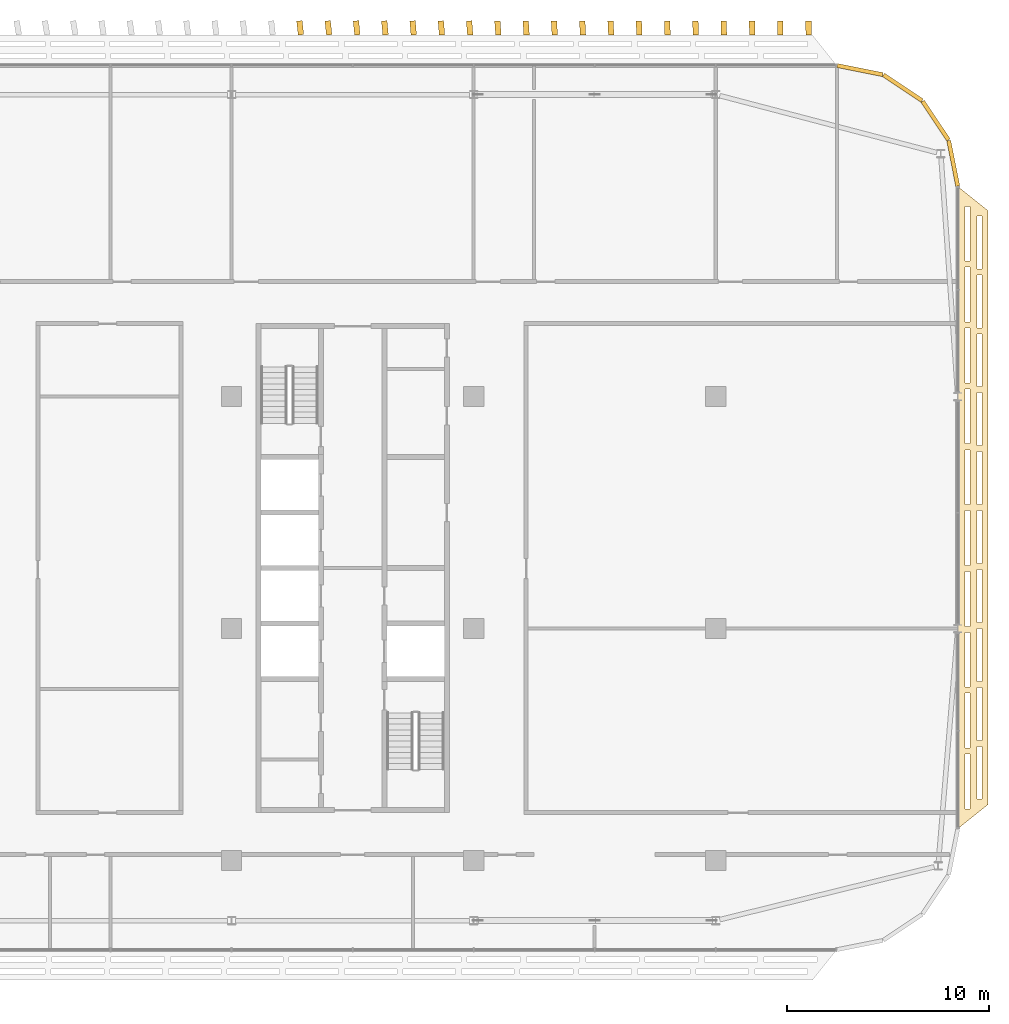
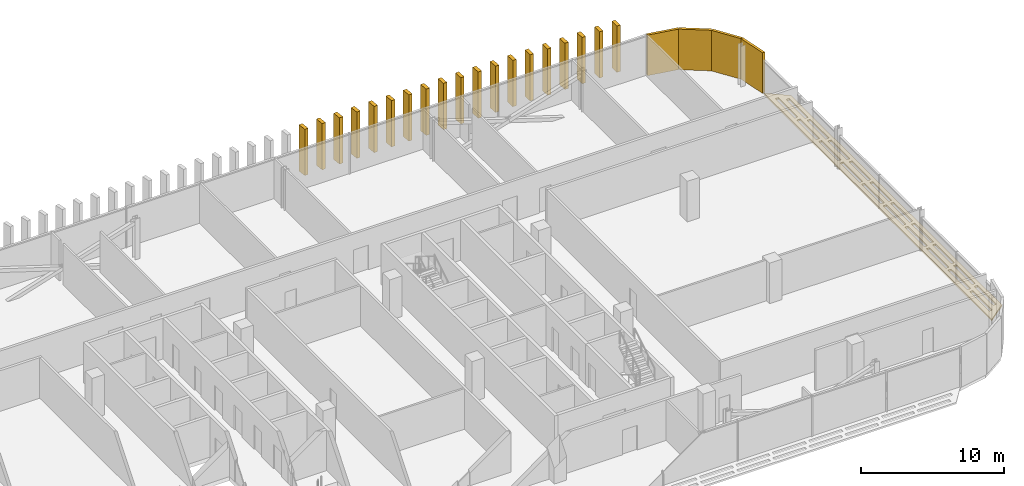
# One storey, part 32 of 32: 24 coverings.
"""IFC4 building model written with IfcOpenShell, lengths in metres."""

from ifc_helpers import new_model, si_unit, direction, frame, origin, origin_2d, place, context, subcontext, project, spatial, polyline, rectangle, outline, extrude, material, layer, layer_set, type_object, element, save


model = new_model("IFC4")

# Units and contexts
model_context = context("Model", 3, precision=1e-05, world=origin(), true_north=direction((0.0, 1.0)))
body_context = subcontext(model_context, "Body", "Model", "MODEL_VIEW")
ifc_project = project(units=[si_unit("LENGTHUNIT", "METRE"), si_unit("AREAUNIT", "SQUARE_METRE"), si_unit("VOLUMEUNIT", "CUBIC_METRE"), si_unit("PLANEANGLEUNIT", "RADIAN"), si_unit("MASSUNIT", "GRAM", prefix="KILO")], contexts=[model_context])

# Site, building, storey
site_placement = place(None, origin())
site = spatial("IfcSite", under=ifc_project, at=site_placement, CompositionType="ELEMENT")
building_placement = place(site_placement, origin())
building = spatial("IfcBuilding", under=site, at=building_placement, Name="Mahtab Terrace Research Tower", CompositionType="ELEMENT")
storey_placement = place(building_placement, frame((0.0, 0.0, 240.0)))
storey = spatial("IfcBuildingStorey", under=building, at=storey_placement, Name="L58", CompositionType="ELEMENT", Elevation=240.0)

# Coverings
ifc_material_1 = material(Name="Black aluminium cladding panel", Category="aluminium")
ifc_layer_1 = layer(ifc_material_1, 0.199951171875)
ifc_layer_set_1 = layer_set([ifc_layer_1], Name="Black metal corner cladding 200")
covering_type_1 = type_object("IfcCoveringType", Name="Black metal corner cladding 200", PredefinedType="CLADDING", material=ifc_layer_set_1)
for number, where, z_axis, x_axis, name in (
    (1, (52.89306640625, 25.1865234375, 0.0), (0.0, 0.0, 1.0), (-0.555291490808, 0.831655794326, 0.0), "Corner cladding L58 0"),
    (2, (51.26953125, 26.81005859375, 0.0), (0.0, 0.0, 1.0), (-0.831655794326, 0.555291490808, 0.0), "Corner cladding L58 1"),
    (3, (49.14794921875, 27.6884765625, 0.0), (0.0, 0.0, 1.0), (-0.980760981187, 0.195212442692, 0.0), "Corner cladding L58 2"),
    (4, (53.771484375, 23.06494140625, 0.0), (0.0, 0.0, 1.0), (-0.195212442692, 0.980760981187, 0.0), "Corner cladding L58 24"),
):
    element("IfcCovering", number, at=place(storey_placement, frame(where, z_axis=z_axis, x_axis=x_axis)), inside=storey, type_object=covering_type_1, Name=name, PredefinedType="CLADDING", context=body_context, shape_type="SweptSolid", body=[
        extrude(rectangle(XDim=2.30126953125, YDim=0.199951171875, at=origin_2d()), origin(), (0.0, 0.0, 1.0), 3.4599609375),
    ])
ifc_material_2 = material(Name="Black anodised aluminium", Category="aluminium")
ifc_layer_2 = layer(ifc_material_2, 0.14990234375)
ifc_layer_set_2 = layer_set([ifc_layer_2], Name="Horizontal sunshade band")
covering_type_2 = type_object("IfcCoveringType", Name="Horizontal sunshade band", PredefinedType="CLADDING", material=ifc_layer_set_2)
covering_placement = place(storey_placement, frame((0.0, 0.0, -0.14990234375)))
element("IfcCovering", 5, at=covering_placement, inside=storey, type_object=covering_type_2, Name="Sunshade band L58 21", PredefinedType="CLADDING", context=body_context, shape_type="SweptSolid", body=[
    extrude(outline(polyline([(54.0, -9.9169921875), (54.0, 21.9169921875), (55.5, 20.717041015625), (55.5, -8.717041015625), (54.0, -9.9169921875)]), holes=[polyline([(54.35009765625, -8.93701171875), (54.35009765625, -6.219970703125), (54.60009765625, -6.219970703125), (54.60009765625, -8.93701171875), (54.35009765625, -8.93701171875)]), polyline([(54.35009765625, -5.919921875), (54.35009765625, -3.201904296875), (54.60009765625, -3.201904296875), (54.60009765625, -5.919921875), (54.35009765625, -5.919921875)]), polyline([(54.35009765625, -2.902099609375), (54.35009765625, -0.18505859375), (54.60009765625, -0.18505859375), (54.60009765625, -2.902099609375), (54.35009765625, -2.902099609375)]), polyline([(54.35009765625, 0.114990234375), (54.35009765625, 2.8330078125), (54.60009765625, 2.8330078125), (54.60009765625, 0.114990234375), (54.35009765625, 0.114990234375)]), polyline([(54.35009765625, 3.133056640625), (54.35009765625, 5.85009765625), (54.60009765625, 5.85009765625), (54.60009765625, 3.133056640625), (54.35009765625, 3.133056640625)]), polyline([(54.35009765625, 6.14990234375), (54.35009765625, 8.866943359375), (54.60009765625, 8.866943359375), (54.60009765625, 6.14990234375), (54.35009765625, 6.14990234375)]), polyline([(54.35009765625, 9.1669921875), (54.35009765625, 11.885009765625), (54.60009765625, 11.885009765625), (54.60009765625, 9.1669921875), (54.35009765625, 9.1669921875)]), polyline([(54.35009765625, 12.18505859375), (54.35009765625, 14.902099609375), (54.60009765625, 14.902099609375), (54.60009765625, 12.18505859375), (54.35009765625, 12.18505859375)]), polyline([(54.35009765625, 15.201904296875), (54.35009765625, 17.919921875), (54.60009765625, 17.919921875), (54.60009765625, 15.201904296875), (54.35009765625, 15.201904296875)]), polyline([(54.35009765625, 18.219970703125), (54.35009765625, 20.93701171875), (54.60009765625, 20.93701171875), (54.60009765625, 18.219970703125), (54.35009765625, 18.219970703125)]), polyline([(54.949951171875, -8.45703125), (54.949951171875, -5.8359375), (55.199951171875, -5.8359375), (55.199951171875, -8.45703125), (54.949951171875, -8.45703125)]), polyline([(54.949951171875, -5.535888671875), (54.949951171875, -2.9140625), (55.199951171875, -2.9140625), (55.199951171875, -5.535888671875), (54.949951171875, -5.535888671875)]), polyline([(54.949951171875, -2.614013671875), (54.949951171875, 0.007080078125), (55.199951171875, 0.007080078125), (55.199951171875, -2.614013671875), (54.949951171875, -2.614013671875)]), polyline([(54.949951171875, 0.306884765625), (54.949951171875, 2.928955078125), (55.199951171875, 2.928955078125), (55.199951171875, 0.306884765625), (54.949951171875, 0.306884765625)]), polyline([(54.949951171875, 3.22900390625), (54.949951171875, 5.85009765625), (55.199951171875, 5.85009765625), (55.199951171875, 3.22900390625), (54.949951171875, 3.22900390625)]), polyline([(54.949951171875, 6.14990234375), (54.949951171875, 8.77099609375), (55.199951171875, 8.77099609375), (55.199951171875, 6.14990234375), (54.949951171875, 6.14990234375)]), polyline([(54.949951171875, 9.071044921875), (54.949951171875, 11.693115234375), (55.199951171875, 11.693115234375), (55.199951171875, 9.071044921875), (54.949951171875, 9.071044921875)]), polyline([(54.949951171875, 11.992919921875), (54.949951171875, 14.614013671875), (55.199951171875, 14.614013671875), (55.199951171875, 11.992919921875), (54.949951171875, 11.992919921875)]), polyline([(54.949951171875, 14.9140625), (54.949951171875, 17.535888671875), (55.199951171875, 17.535888671875), (55.199951171875, 14.9140625), (54.949951171875, 14.9140625)]), polyline([(54.949951171875, 17.8359375), (54.949951171875, 20.45703125), (55.199951171875, 20.45703125), (55.199951171875, 17.8359375), (54.949951171875, 17.8359375)])]), origin(), (0.0, 0.0, 1.0), 0.14990234375),
])
ifc_material_3 = material(Name="Bronze anodised aluminium", Category="aluminium")
ifc_layer_3 = layer(ifc_material_3, 0.1201171875)
ifc_layer_set_3 = layer_set([ifc_layer_3], Name="Vertical fin 700")
covering_type_3 = type_object("IfcCoveringType", Name="Vertical fin 700", PredefinedType="CLADDING", material=ifc_layer_set_3)
for number, where, z_axis, x_axis, name in (
    (6, (46.60009765625, 29.767822265625, -0.14990234375), (0.0, 0.0, 1.0), (-0.999983076858, -0.005817731349, 0.0), "Fin L58 N1"),
    (7, (45.199951171875, 29.7685546875, -0.14990234375), (0.0, 0.0, 1.0), (-0.999932308004, -0.011635265807, 0.0), "Fin L58 N2"),
    (8, (43.800048828125, 29.769287109375, -0.14990234375), (0.0, 0.0, 1.0), (-0.999847695156, -0.017452406437, 0.0), "Fin L58 N3"),
    (9, (42.39990234375, 29.770263671875, -0.14990234375), (0.0, 0.0, 1.0), (-0.99972924118, -0.023268956368, 0.0), "Fin L58 N4"),
    (10, (41.0, 29.77099609375, -0.14990234375), (0.0, 0.0, 1.0), (-0.999576950082, -0.029084718749, 0.0), "Fin L58 N5"),
    (11, (39.60009765625, 29.771728515625, -0.14990234375), (0.0, 0.0, 1.0), (-0.999390827019, -0.034899496703, 0.0), "Fin L58 N6"),
    (12, (38.199951171875, 29.7724609375, -0.14990234375), (0.0, 0.0, 1.0), (-0.99917087829, -0.040713093438, 0.0), "Fin L58 N7"),
    (13, (36.800048828125, 29.773193359375, -0.14990234375), (0.0, 0.0, 1.0), (-0.998917111338, -0.046525312204, 0.0), "Fin L58 N8"),
    (14, (35.39990234375, 29.77392578125, -0.14990234375), (0.0, 0.0, 1.0), (-0.998629534755, -0.052335956243, 0.0), "Fin L58 N9"),
    (15, (34.0, 29.774658203125, -0.14990234375), (0.0, 0.0, 1.0), (-0.998308158272, -0.058144828905, 0.0), "Fin L58 N10"),
    (16, (32.60009765625, 29.775146484375, -0.14990234375), (0.0, 0.0, 1.0), (-0.997952992766, -0.063951733597, 0.0), "Fin L58 N11"),
    (17, (31.199951171875, 29.77587890625, -0.14990234375), (0.0, 0.0, 1.0), (-0.99756405026, -0.069756473744, 0.0), "Fin L58 N12"),
    (18, (29.800048828125, 29.776611328125, -0.14990234375), (0.0, 0.0, 1.0), (-0.997141343917, -0.075558852893, 0.0), "Fin L58 N13"),
    (19, (28.39990234375, 29.77734375, -0.14990234375), (0.0, 0.0, 1.0), (-0.996684888044, -0.081358674674, 0.0), "Fin L58 N14"),
    (20, (27.0, 29.77783203125, -0.14990234375), (0.0, 0.0, 1.0), (-0.996194698092, -0.087155742748, 0.0), "Fin L58 N15"),
    (21, (25.60009765625, 29.778564453125, -0.14990234375), (0.0, 0.0, 1.0), (-0.99567079065, -0.092949860924, 0.0), "Fin L58 N16"),
    (22, (24.199951171875, 29.779052734375, -0.14990234375), (0.0, 0.0, 1.0), (-0.99511318345, -0.098740833109, 0.0), "Fin L58 N17"),
    (23, (22.800048828125, 29.77978515625, -0.14990234375), (0.0, 0.0, 1.0), (-0.994521895368, -0.104528463268, 0.0), "Fin L58 N18"),
    (24, (21.39990234375, 29.7802734375, -0.14990234375), (0.0, 0.0, 1.0), (-0.993896946415, -0.110312555526, 0.0), "Fin L58 N19"),
):
    element("IfcCovering", number, at=place(storey_placement, frame(where, z_axis=z_axis, x_axis=x_axis)), inside=storey, type_object=covering_type_3, Name=name, PredefinedType="CLADDING", context=body_context, shape_type="SweptSolid", body=[
        extrude(rectangle(XDim=0.280029296875, YDim=0.699951171875, at=origin_2d()), origin(), (0.0, 0.0, 1.0), 3.949951171875),
    ])

save(model, "model.ifc")
